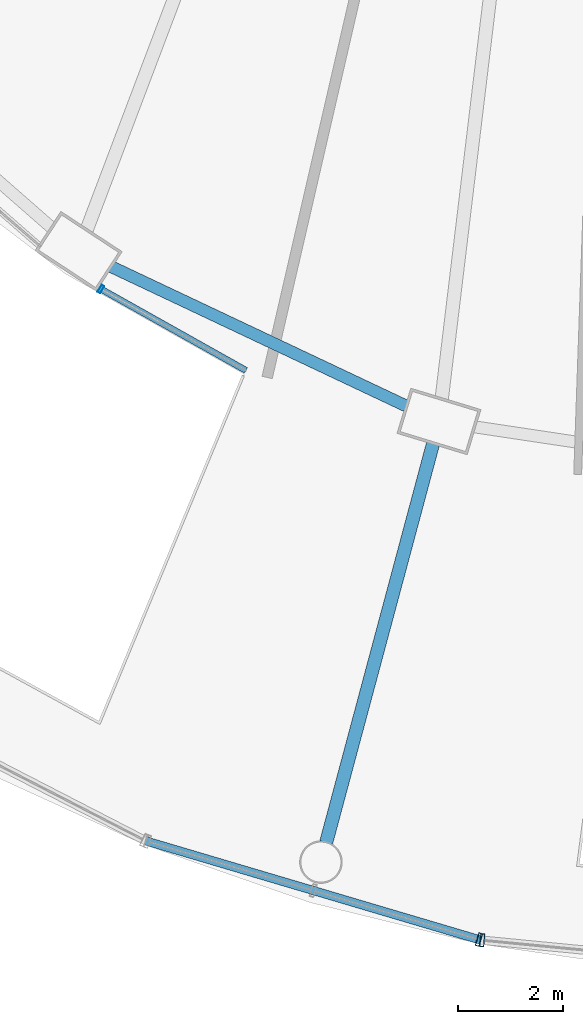
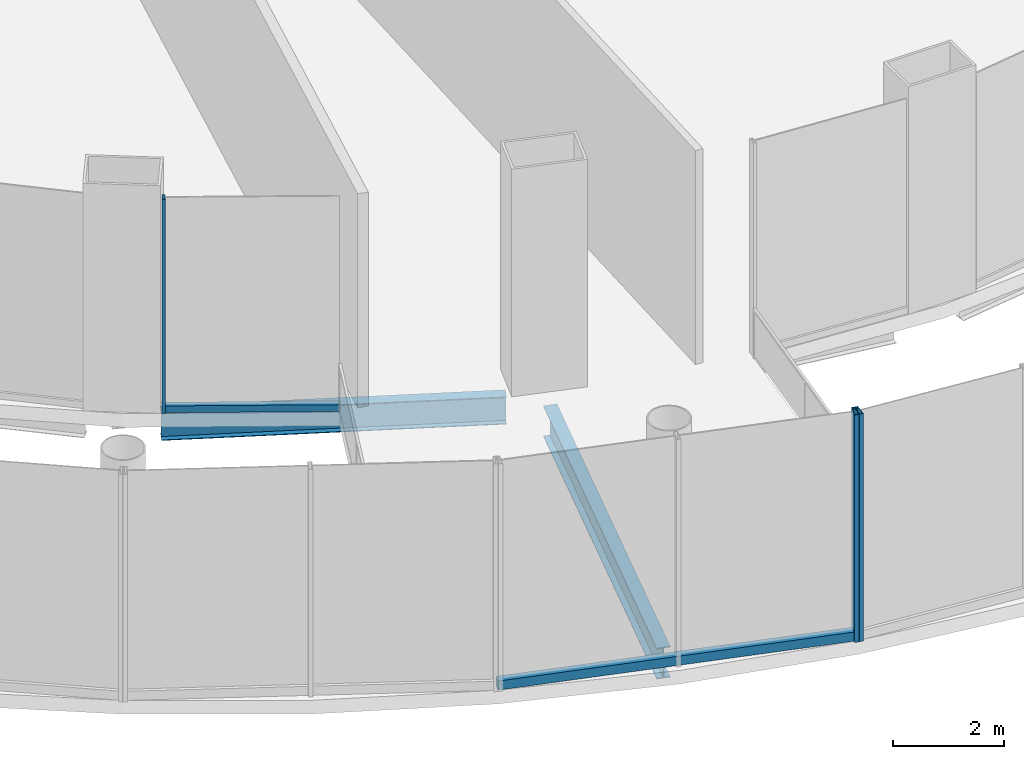
# One storey, part 4 of 47: 5 members, 2 beams, 3 elements without a shape of their own.
"""IFC4 building model written with IfcOpenShell, lengths in metres."""

from ifc_helpers import new_model, si_unit, direction, frame, origin, origin_2d, place, context, subcontext, project, spatial, hollow_rectangle, i_section, extrude, material, layer, layer_set, material_profile, profile_set, type_object, element, aggregate, save


model = new_model("IFC4")

# Units and contexts
model_context = context("Model", 3, precision=1e-05, world=origin(), true_north=direction((0.0, 1.0)))
body_context = subcontext(model_context, "Body", "Model", "MODEL_VIEW")
ifc_project = project(units=[si_unit("LENGTHUNIT", "METRE"), si_unit("AREAUNIT", "SQUARE_METRE"), si_unit("VOLUMEUNIT", "CUBIC_METRE"), si_unit("PLANEANGLEUNIT", "RADIAN"), si_unit("MASSUNIT", "GRAM", prefix="KILO")], contexts=[model_context])

# Site, building, storey
site_placement = place(None, origin())
site = spatial("IfcSite", under=ifc_project, at=site_placement, CompositionType="ELEMENT")
building_placement = place(site_placement, origin())
building = spatial("IfcBuilding", under=site, at=building_placement, Name="Nagisa Residences", CompositionType="ELEMENT")
storey_placement = place(building_placement, frame((0.0, 0.0, 17.0)))
storey = spatial("IfcBuildingStorey", under=building, at=storey_placement, Name="L03", CompositionType="ELEMENT", Elevation=17.0)

# Beam
ifc_material_1 = material(Name="Steel ASTM A572 Gr 50", Category="steel")
ifc_material_profile_1 = material_profile(ifc_material_1, i_section(OverallWidth=0.2529296875, OverallDepth=0.677978515625, WebThickness=0.01171875, FlangeThickness=0.016357421875, at=origin_2d()), Name="W690x125")
ifc_profile_set_1 = profile_set([ifc_material_profile_1], Name="Steel ASTM A572 Gr 50")
beam_type_1 = type_object("IfcBeamType", Name="Atrium bridge beam W690x125", PredefinedType="BEAM", material=ifc_profile_set_1)
beam_1_placement = place(storey_placement, frame((-3.8876953125, -31.80810546875, -0.638916015625), z_axis=(-0.258809356376, -0.965928422324, 0.0), x_axis=(0.965928422324, -0.258809356376, 0.0)))
element("IfcBeam", 1, at=beam_1_placement, inside=storey, type_object=beam_type_1, Name="beam:L03:br18", PredefinedType="BEAM", context=body_context, shape_type="SweptSolid", body=[
    extrude(i_section(OverallWidth=0.2529296875, OverallDepth=0.677978515625, WebThickness=0.01171875, FlangeThickness=0.016357421875, at=origin_2d()), origin(), (0.0, 0.0, 1.0), 7.88330078125),
])

# Curtain wall, member
ifc_material_2 = material(Name="Stainless steel curtain wall system", Category="steel")
ifc_layer_1 = layer(ifc_material_2, 0.159912109375)
ifc_layer_set_1 = layer_set([ifc_layer_1], Name="CW3 CURTAIN WALL")
curtain_wall_type_1 = type_object("IfcCurtainWallType", Name="CW3 CURTAIN WALL", PredefinedType="NOTDEFINED", material=ifc_layer_set_1)
curtain_wall_1_placement = place(storey_placement, origin())
curtain_wall_1 = element("IfcCurtainWall", 2, at=curtain_wall_1_placement, inside=storey, type_object=curtain_wall_type_1, Name="cw:CW3:L03:25", PredefinedType="NOTDEFINED")
ifc_material_3 = material(Name="Stainless steel", Category="steel")
ifc_material_profile_2 = material_profile(ifc_material_3, hollow_rectangle(XDim=0.25, YDim=0.080078125, WallThickness=0.008056640625, at=origin_2d()), Name="CW3 MULLION 250x80")
ifc_profile_set_2 = profile_set([ifc_material_profile_2], Name="Stainless steel")
member_type_1 = type_object("IfcMemberType", Name="CW3 MULLION 250x80", PredefinedType="MULLION", material=ifc_profile_set_2)
member_1_placement = place(storey_placement, frame((-3.01416015625, -41.27392578125, 0.0), z_axis=(0.0, 0.0, 1.0), x_axis=(0.283963226669, 0.958835171393, 0.0)))
member_1 = element("IfcMember", 3, at=member_1_placement, type_object=member_type_1, Name="CW3 mullion", PredefinedType="MULLION", context=body_context, shape_type="SweptSolid", body=[
    extrude(hollow_rectangle(XDim=0.25, YDim=0.080078125, WallThickness=0.008056640625, at=origin_2d()), origin(), (0.0, 0.0, 1.0), 5.0),
])

curtain_wall_2_placement = place(storey_placement, origin())
curtain_wall_2 = element("IfcCurtainWall", 4, at=curtain_wall_2_placement, inside=storey, type_object=curtain_wall_type_1, Name="cw:CW3:L03:26", PredefinedType="NOTDEFINED")
member_2_placement = place(storey_placement, frame((-2.951171875, -41.2861328125, 0.0), z_axis=(0.0, 0.0, 1.0), x_axis=(0.096249055035, 0.995357282289, 0.0)))
member_2 = element("IfcMember", 5, at=member_2_placement, type_object=member_type_1, Name="CW3 mullion", PredefinedType="MULLION", context=body_context, shape_type="SweptSolid", body=[
    extrude(hollow_rectangle(XDim=0.25, YDim=0.080078125, WallThickness=0.008056640625, at=origin_2d()), origin(), (0.0, 0.0, 1.0), 5.0),
])
aggregate(curtain_wall_2, [member_2])

# Member
ifc_material_4 = material(Name="Stainless steel", Category="steel")
ifc_material_profile_3 = material_profile(ifc_material_4, hollow_rectangle(XDim=0.159912109375, YDim=0.199951171875, WallThickness=0.008056640625, at=origin_2d()), Name="CW3 TRANSOM 160x200")
ifc_profile_set_3 = profile_set([ifc_material_profile_3], Name="Stainless steel")
member_type_2 = type_object("IfcMemberType", Name="CW3 TRANSOM 160x200", PredefinedType="USERDEFINED", material=ifc_profile_set_3)
member_3_placement = place(storey_placement, frame((-9.3740234375, -39.390380859375, 0.10009765625), z_axis=(0.958838335071, -0.283952543919, 0.0), x_axis=(0.283952543919, 0.958838335071, 0.0)))
member_3 = element("IfcMember", 6, at=member_3_placement, type_object=member_type_2, Name="CW3 transom", ObjectType="TRANSOM", PredefinedType="USERDEFINED", context=body_context, shape_type="SweptSolid", body=[
    extrude(hollow_rectangle(XDim=0.159912109375, YDim=0.199951171875, WallThickness=0.008056640625, at=origin_2d()), origin(), (0.0, 0.0, 1.0), 6.6728515625),
])

aggregate(curtain_wall_1, [member_1, member_3])

# Curtain wall, members
ifc_material_5 = material(Name="Stainless steel curtain wall system", Category="steel")
ifc_layer_2 = layer(ifc_material_5, 0.159912109375)
ifc_layer_set_2 = layer_set([ifc_layer_2], Name="CW6 CURTAIN WALL")
curtain_wall_type_2 = type_object("IfcCurtainWallType", Name="CW6 CURTAIN WALL", PredefinedType="NOTDEFINED", material=ifc_layer_set_2)
curtain_wall_3_placement = place(storey_placement, origin())
curtain_wall_3 = element("IfcCurtainWall", 7, at=curtain_wall_3_placement, inside=storey, type_object=curtain_wall_type_2, Name="cw:CW6:L03:32", PredefinedType="NOTDEFINED")
ifc_material_6 = material(Name="Stainless steel", Category="steel")
ifc_material_profile_4 = material_profile(ifc_material_6, hollow_rectangle(XDim=0.159912109375, YDim=0.06005859375, WallThickness=0.006103515625, at=origin_2d()), Name="CW6 MULLION 160x60")
ifc_profile_set_4 = profile_set([ifc_material_profile_4], Name="Stainless steel")
member_type_3 = type_object("IfcMemberType", Name="CW6 MULLION 160x60", PredefinedType="MULLION", material=ifc_profile_set_4)
member_4_placement = place(storey_placement, frame((-10.22412109375, -28.8662109375, 0.0), z_axis=(0.0, 0.0, 1.0), x_axis=(0.489376918501, 0.872072377523, 0.0)))
member_4 = element("IfcMember", 8, at=member_4_placement, type_object=member_type_3, Name="CW6 mullion", PredefinedType="MULLION", context=body_context, shape_type="SweptSolid", body=[
    extrude(hollow_rectangle(XDim=0.159912109375, YDim=0.06005859375, WallThickness=0.006103515625, at=origin_2d()), origin(), (0.0, 0.0, 1.0), 4.699951171875),
])
ifc_material_7 = material(Name="Stainless steel", Category="steel")
ifc_material_profile_5 = material_profile(ifc_material_7, hollow_rectangle(XDim=0.1201171875, YDim=0.14990234375, WallThickness=0.008056640625, at=origin_2d()), Name="CW6 TRANSOM 120x150")
ifc_profile_set_5 = profile_set([ifc_material_profile_5], Name="Stainless steel")
member_type_4 = type_object("IfcMemberType", Name="CW6 TRANSOM 120x150", PredefinedType="USERDEFINED", material=ifc_profile_set_5)
member_5_placement = place(storey_placement, frame((-10.25048828125, -28.8515625, 0.074951171875), z_axis=(0.872070011948, -0.489381133946, 0.0), x_axis=(0.489381133946, 0.872070011948, 0.0)))
member_5 = element("IfcMember", 9, at=member_5_placement, type_object=member_type_4, Name="CW6 transom", ObjectType="TRANSOM", PredefinedType="USERDEFINED", context=body_context, shape_type="SweptSolid", body=[
    extrude(hollow_rectangle(XDim=0.1201171875, YDim=0.14990234375, WallThickness=0.008056640625, at=origin_2d()), origin(), (0.0, 0.0, 1.0), 3.201171875),
])
aggregate(curtain_wall_3, [member_4, member_5])

# Beam
ifc_material_8 = material(Name="Steel ASTM A572 Gr 50", Category="steel")
ifc_material_profile_6 = material_profile(ifc_material_8, i_section(OverallWidth=0.22802734375, OverallDepth=0.60302734375, WebThickness=0.010498046875, FlangeThickness=0.014892578125, at=origin_2d()), Name="W610x101")
ifc_profile_set_6 = profile_set([ifc_material_profile_6], Name="Steel ASTM A572 Gr 50")
beam_type_2 = type_object("IfcBeamType", Name="Perimeter ring beam W610x101", PredefinedType="BEAM", material=ifc_profile_set_6)
beam_2_placement = place(storey_placement, frame((-10.02880859375, -28.439208984375, -0.6015625), z_axis=(0.904208275867, -0.427091786216, 0.0), x_axis=(0.427091786216, 0.904208275867, 0.0)))
element("IfcBeam", 10, at=beam_2_placement, inside=storey, type_object=beam_type_2, Name="beam:L03:pb17", PredefinedType="BEAM", context=body_context, shape_type="SweptSolid", body=[
    extrude(i_section(OverallWidth=0.22802734375, OverallDepth=0.60302734375, WebThickness=0.010498046875, FlangeThickness=0.014892578125, at=origin_2d()), origin(), (0.0, 0.0, 1.0), 6.227294921875),
])

save(model, "model.ifc")
